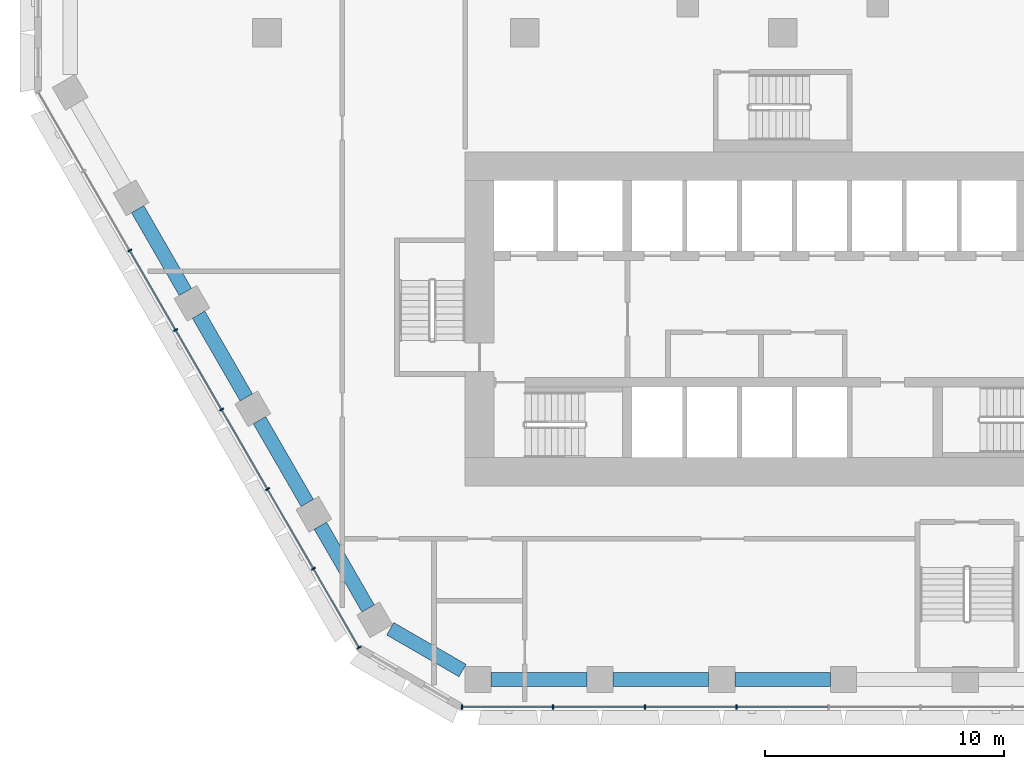
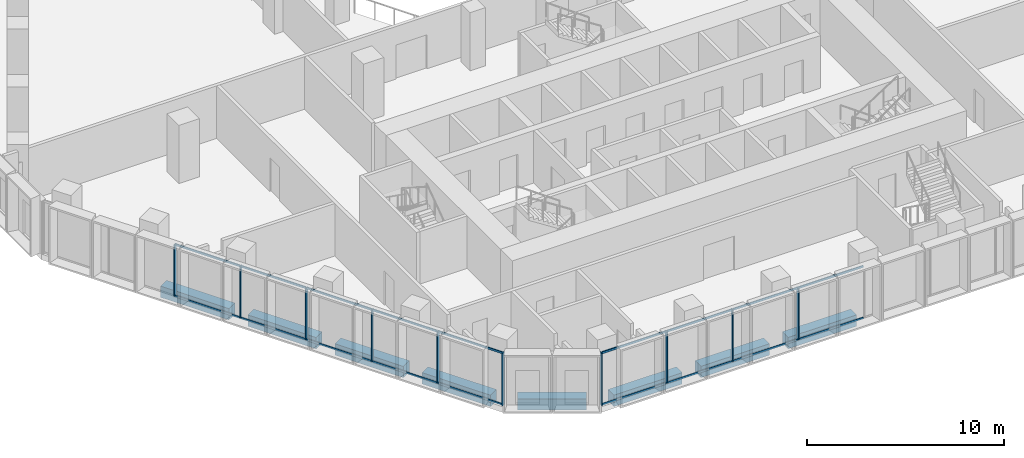
# One storey, part 2 of 25: 28 members, 8 beams, 2 elements without a shape of their own.
"""IFC4 building model written with IfcOpenShell, lengths in metres."""

from ifc_helpers import new_model, si_unit, direction, frame, origin, origin_2d, place, context, subcontext, project, spatial, rectangle, hollow_rectangle, extrude, material, material_profile, profile_set, type_object, element, aggregate, save


model = new_model("IFC4")

# Units and contexts
model_context = context("Model", 3, precision=1e-05, world=origin(), true_north=direction((0.0, 1.0)))
body_context = subcontext(model_context, "Body", "Model", "MODEL_VIEW")
ifc_project = project(units=[si_unit("LENGTHUNIT", "METRE"), si_unit("AREAUNIT", "SQUARE_METRE"), si_unit("VOLUMEUNIT", "CUBIC_METRE"), si_unit("PLANEANGLEUNIT", "RADIAN"), si_unit("MASSUNIT", "GRAM", prefix="KILO")], contexts=[model_context])

# Site, building, storey
site_placement = place(None, origin())
site = spatial("IfcSite", under=ifc_project, at=site_placement, CompositionType="ELEMENT")
building_placement = place(site_placement, origin())
building = spatial("IfcBuilding", under=site, at=building_placement, Name="Beryl Residences", CompositionType="ELEMENT")
storey_placement = place(building_placement, frame((0.0, 0.0, 16.199951171875)))
storey = spatial("IfcBuildingStorey", under=building, at=storey_placement, Name="L04", CompositionType="ELEMENT", Elevation=16.199951171875)

# Curtain wall, members
ifc_material_1 = material(Name="Aluminium and clear glass", Category="aluminium")
curtain_wall_type = type_object("IfcCurtainWallType", Name="CW2 amenity glazing glazed wall", PredefinedType="NOTDEFINED", material=ifc_material_1)
curtain_wall_1_placement = place(storey_placement, origin())
curtain_wall_1 = element("IfcCurtainWall", 1, at=curtain_wall_1_placement, inside=storey, type_object=curtain_wall_type, Name="CW2 L04 SW", PredefinedType="NOTDEFINED")
ifc_material_2 = material(Name="Aluminium", Category="aluminium")
ifc_material_profile_1 = material_profile(ifc_material_2, rectangle(XDim=0.06005859375, YDim=0.179931640625, at=origin_2d()))
ifc_profile_set_1 = profile_set([ifc_material_profile_1], Name="Aluminium")
member_type_1 = type_object("IfcMemberType", Name="CW2-M mullion 60 x 180 mm", PredefinedType="MULLION", material=ifc_profile_set_1)
member_1_placement = place(storey_placement, frame((-27.351318359375, -9.125732421875, 0.0), z_axis=(0.0, 0.0, 1.0), x_axis=(0.500011643322, -0.866018681405, 0.0)))
member_1 = element("IfcMember", 2, at=member_1_placement, type_object=member_type_1, Name="CW2 mullion 3", PredefinedType="MULLION", context=body_context, shape_type="SweptSolid", body=[
    extrude(rectangle(XDim=0.06005859375, YDim=0.179931640625, at=origin_2d()), origin(), (0.0, 0.0, 1.0), 3.25),
])
member_2_placement = place(storey_placement, frame((-25.42724609375, -12.45849609375, 0.0), z_axis=(0.0, 0.0, 1.0), x_axis=(0.500011643322, -0.866018681405, 0.0)))
member_2 = element("IfcMember", 3, at=member_2_placement, type_object=member_type_1, Name="CW2 mullion 4", PredefinedType="MULLION", context=body_context, shape_type="SweptSolid", body=[
    extrude(rectangle(XDim=0.06005859375, YDim=0.179931640625, at=origin_2d()), origin(), (0.0, 0.0, 1.0), 3.25),
])
member_3_placement = place(storey_placement, frame((-23.5029296875, -15.79150390625, 0.0), z_axis=(0.0, 0.0, 1.0), x_axis=(0.500011643322, -0.866018681405, 0.0)))
member_3 = element("IfcMember", 4, at=member_3_placement, type_object=member_type_1, Name="CW2 mullion 5", PredefinedType="MULLION", context=body_context, shape_type="SweptSolid", body=[
    extrude(rectangle(XDim=0.06005859375, YDim=0.179931640625, at=origin_2d()), origin(), (0.0, 0.0, 1.0), 3.25),
])
member_4_placement = place(storey_placement, frame((-21.57861328125, -19.124267578125, 0.0), z_axis=(0.0, 0.0, 1.0), x_axis=(0.500011643322, -0.866018681405, 0.0)))
member_4 = element("IfcMember", 5, at=member_4_placement, type_object=member_type_1, Name="CW2 mullion 6", PredefinedType="MULLION", context=body_context, shape_type="SweptSolid", body=[
    extrude(rectangle(XDim=0.06005859375, YDim=0.179931640625, at=origin_2d()), origin(), (0.0, 0.0, 1.0), 3.25),
])
member_5_placement = place(storey_placement, frame((-19.654296875, -22.45703125, 0.0), z_axis=(0.0, 0.0, 1.0), x_axis=(0.500011643322, -0.866018681405, 0.0)))
member_5 = element("IfcMember", 6, at=member_5_placement, type_object=member_type_1, Name="CW2 mullion 7", PredefinedType="MULLION", context=body_context, shape_type="SweptSolid", body=[
    extrude(rectangle(XDim=0.06005859375, YDim=0.179931640625, at=origin_2d()), origin(), (0.0, 0.0, 1.0), 3.25),
])
member_6_placement = place(storey_placement, frame((-17.7451171875, -25.763916015625, 0.0), z_axis=(0.0, 0.0, 1.0), x_axis=(0.500011643322, -0.866018681405, 0.0)))
member_6 = element("IfcMember", 7, at=member_6_placement, type_object=member_type_1, Name="CW2 mullion 8", PredefinedType="MULLION", context=body_context, shape_type="SweptSolid", body=[
    extrude(rectangle(XDim=0.06005859375, YDim=0.179931640625, at=origin_2d()), origin(), (0.0, 0.0, 1.0), 3.25),
])

curtain_wall_2_placement = place(storey_placement, origin())
curtain_wall_2 = element("IfcCurtainWall", 8, at=curtain_wall_2_placement, inside=storey, type_object=curtain_wall_type, Name="CW2 L04 S", PredefinedType="NOTDEFINED")
member_7_placement = place(storey_placement, frame((-13.43994140625, -28.25, 0.0), z_axis=(0.0, 0.0, 1.0), x_axis=(1.0, 0.0, 0.0)))
member_7 = element("IfcMember", 9, at=member_7_placement, type_object=member_type_1, Name="CW2 mullion 1", PredefinedType="MULLION", context=body_context, shape_type="SweptSolid", body=[
    extrude(rectangle(XDim=0.06005859375, YDim=0.179931640625, at=origin_2d()), origin(), (0.0, 0.0, 1.0), 3.25),
])
member_8_placement = place(storey_placement, frame((-9.621337890625, -28.25, 0.0), z_axis=(0.0, 0.0, 1.0), x_axis=(1.0, 0.0, 0.0)))
member_8 = element("IfcMember", 10, at=member_8_placement, type_object=member_type_1, Name="CW2 mullion 2", PredefinedType="MULLION", context=body_context, shape_type="SweptSolid", body=[
    extrude(rectangle(XDim=0.06005859375, YDim=0.179931640625, at=origin_2d()), origin(), (0.0, 0.0, 1.0), 3.25),
])
member_9_placement = place(storey_placement, frame((-5.77294921875, -28.25, 0.0), z_axis=(0.0, 0.0, 1.0), x_axis=(1.0, 0.0, 0.0)))
member_9 = element("IfcMember", 11, at=member_9_placement, type_object=member_type_1, Name="CW2 mullion 3", PredefinedType="MULLION", context=body_context, shape_type="SweptSolid", body=[
    extrude(rectangle(XDim=0.06005859375, YDim=0.179931640625, at=origin_2d()), origin(), (0.0, 0.0, 1.0), 3.25),
])
member_10_placement = place(storey_placement, frame((-1.92431640625, -28.25, 0.0), z_axis=(0.0, 0.0, 1.0), x_axis=(1.0, 0.0, 0.0)))
member_10 = element("IfcMember", 12, at=member_10_placement, type_object=member_type_1, Name="CW2 mullion 4", PredefinedType="MULLION", context=body_context, shape_type="SweptSolid", body=[
    extrude(rectangle(XDim=0.06005859375, YDim=0.179931640625, at=origin_2d()), origin(), (0.0, 0.0, 1.0), 3.25),
])

# Member
ifc_material_3 = material(Name="Aluminium", Category="aluminium")
ifc_material_profile_2 = material_profile(ifc_material_3, hollow_rectangle(XDim=0.06005859375, YDim=0.1201171875, WallThickness=0.00390625, at=origin_2d()))
ifc_profile_set_2 = profile_set([ifc_material_profile_2], Name="Aluminium")
member_type_2 = type_object("IfcMemberType", Name="CW2-T transom 60 x 120 mm", PredefinedType="USERDEFINED", material=ifc_profile_set_2)
member_11_placement = place(storey_placement, frame((-27.33642578125, -9.151611328125, 0.030029296875), z_axis=(0.499999503755, -0.866025690291, 0.0), x_axis=(0.866025690291, 0.499999503755, 0.0)))
member_11 = element("IfcMember", 13, at=member_11_placement, type_object=member_type_2, Name="CW2 transom 3.1", ObjectType="TRANSOM", PredefinedType="USERDEFINED", context=body_context, shape_type="SweptSolid", body=[
    extrude(hollow_rectangle(XDim=0.06005859375, YDim=0.1201171875, WallThickness=0.00390625, at=origin_2d()), origin(), (0.0, 0.0, 1.0), 3.78857421875),
])

member_12_placement = place(storey_placement, frame((-27.33642578125, -9.151611328125, 3.219970703125), z_axis=(0.499999503755, -0.866025690291, 0.0), x_axis=(0.866025690291, 0.499999503755, 0.0)))
member_12 = element("IfcMember", 14, at=member_12_placement, type_object=member_type_2, Name="CW2 transom 3.2", ObjectType="TRANSOM", PredefinedType="USERDEFINED", context=body_context, shape_type="SweptSolid", body=[
    extrude(hollow_rectangle(XDim=0.06005859375, YDim=0.1201171875, WallThickness=0.00390625, at=origin_2d()), origin(), (0.0, 0.0, 1.0), 3.78857421875),
])

member_13_placement = place(storey_placement, frame((-25.412109375, -12.484619140625, 0.030029296875), z_axis=(0.500027408906, -0.866009578667, 0.0), x_axis=(0.866009578667, 0.500027408906, 0.0)))
member_13 = element("IfcMember", 15, at=member_13_placement, type_object=member_type_2, Name="CW2 transom 4.1", ObjectType="TRANSOM", PredefinedType="USERDEFINED", context=body_context, shape_type="SweptSolid", body=[
    extrude(hollow_rectangle(XDim=0.06005859375, YDim=0.1201171875, WallThickness=0.00390625, at=origin_2d()), origin(), (0.0, 0.0, 1.0), 3.788330078125),
])

member_14_placement = place(storey_placement, frame((-25.412109375, -12.484619140625, 3.219970703125), z_axis=(0.500027408906, -0.866009578667, 0.0), x_axis=(0.866009578667, 0.500027408906, 0.0)))
member_14 = element("IfcMember", 16, at=member_14_placement, type_object=member_type_2, Name="CW2 transom 4.2", ObjectType="TRANSOM", PredefinedType="USERDEFINED", context=body_context, shape_type="SweptSolid", body=[
    extrude(hollow_rectangle(XDim=0.06005859375, YDim=0.1201171875, WallThickness=0.00390625, at=origin_2d()), origin(), (0.0, 0.0, 1.0), 3.788330078125),
])

member_15_placement = place(storey_placement, frame((-23.48779296875, -15.8173828125, 0.030029296875), z_axis=(0.499999503755, -0.866025690291, 0.0), x_axis=(0.866025690291, 0.499999503755, 0.0)))
member_15 = element("IfcMember", 17, at=member_15_placement, type_object=member_type_2, Name="CW2 transom 5.1", ObjectType="TRANSOM", PredefinedType="USERDEFINED", context=body_context, shape_type="SweptSolid", body=[
    extrude(hollow_rectangle(XDim=0.06005859375, YDim=0.1201171875, WallThickness=0.00390625, at=origin_2d()), origin(), (0.0, 0.0, 1.0), 3.78857421875),
])

member_16_placement = place(storey_placement, frame((-23.48779296875, -15.8173828125, 3.219970703125), z_axis=(0.499999503755, -0.866025690291, 0.0), x_axis=(0.866025690291, 0.499999503755, 0.0)))
member_16 = element("IfcMember", 18, at=member_16_placement, type_object=member_type_2, Name="CW2 transom 5.2", ObjectType="TRANSOM", PredefinedType="USERDEFINED", context=body_context, shape_type="SweptSolid", body=[
    extrude(hollow_rectangle(XDim=0.06005859375, YDim=0.1201171875, WallThickness=0.00390625, at=origin_2d()), origin(), (0.0, 0.0, 1.0), 3.78857421875),
])

member_17_placement = place(storey_placement, frame((-21.5634765625, -19.150146484375, 0.030029296875), z_axis=(0.499999503755, -0.866025690291, 0.0), x_axis=(0.866025690291, 0.499999503755, 0.0)))
member_17 = element("IfcMember", 19, at=member_17_placement, type_object=member_type_2, Name="CW2 transom 6.1", ObjectType="TRANSOM", PredefinedType="USERDEFINED", context=body_context, shape_type="SweptSolid", body=[
    extrude(hollow_rectangle(XDim=0.06005859375, YDim=0.1201171875, WallThickness=0.00390625, at=origin_2d()), origin(), (0.0, 0.0, 1.0), 3.78857421875),
])

member_18_placement = place(storey_placement, frame((-21.5634765625, -19.150146484375, 3.219970703125), z_axis=(0.499999503755, -0.866025690291, 0.0), x_axis=(0.866025690291, 0.499999503755, 0.0)))
member_18 = element("IfcMember", 20, at=member_18_placement, type_object=member_type_2, Name="CW2 transom 6.2", ObjectType="TRANSOM", PredefinedType="USERDEFINED", context=body_context, shape_type="SweptSolid", body=[
    extrude(hollow_rectangle(XDim=0.06005859375, YDim=0.1201171875, WallThickness=0.00390625, at=origin_2d()), origin(), (0.0, 0.0, 1.0), 3.78857421875),
])

member_19_placement = place(storey_placement, frame((-19.639404296875, -22.483154296875, 0.030029296875), z_axis=(0.500037327496, -0.866003851672, 0.0), x_axis=(0.866003851672, 0.500037327496, 0.0)))
member_19 = element("IfcMember", 21, at=member_19_placement, type_object=member_type_2, Name="CW2 transom 7.1", ObjectType="TRANSOM", PredefinedType="USERDEFINED", context=body_context, shape_type="SweptSolid", body=[
    extrude(hollow_rectangle(XDim=0.06005859375, YDim=0.1201171875, WallThickness=0.00390625, at=origin_2d()), origin(), (0.0, 0.0, 1.0), 3.758544921875),
])

member_20_placement = place(storey_placement, frame((-19.639404296875, -22.483154296875, 3.219970703125), z_axis=(0.500037327496, -0.866003851672, 0.0), x_axis=(0.866003851672, 0.500037327496, 0.0)))
member_20 = element("IfcMember", 22, at=member_20_placement, type_object=member_type_2, Name="CW2 transom 7.2", ObjectType="TRANSOM", PredefinedType="USERDEFINED", context=body_context, shape_type="SweptSolid", body=[
    extrude(hollow_rectangle(XDim=0.06005859375, YDim=0.1201171875, WallThickness=0.00390625, at=origin_2d()), origin(), (0.0, 0.0, 1.0), 3.758544921875),
])

aggregate(curtain_wall_1, [member_1, member_2, member_3, member_4, member_5, member_6, member_11, member_12, member_13, member_14, member_15, member_16, member_17, member_18, member_19, member_20])

member_21_placement = place(storey_placement, frame((-13.409912109375, -28.25, 0.030029296875), z_axis=(1.0, 0.0, 0.0), x_axis=(0.0, 1.0, 0.0)))
member_21 = element("IfcMember", 23, at=member_21_placement, type_object=member_type_2, Name="CW2 transom 1.1", ObjectType="TRANSOM", PredefinedType="USERDEFINED", context=body_context, shape_type="SweptSolid", body=[
    extrude(hollow_rectangle(XDim=0.06005859375, YDim=0.1201171875, WallThickness=0.00390625, at=origin_2d()), origin(), (0.0, 0.0, 1.0), 3.758544921875),
])

member_22_placement = place(storey_placement, frame((-13.409912109375, -28.25, 3.219970703125), z_axis=(1.0, 0.0, 0.0), x_axis=(0.0, 1.0, 0.0)))
member_22 = element("IfcMember", 24, at=member_22_placement, type_object=member_type_2, Name="CW2 transom 1.2", ObjectType="TRANSOM", PredefinedType="USERDEFINED", context=body_context, shape_type="SweptSolid", body=[
    extrude(hollow_rectangle(XDim=0.06005859375, YDim=0.1201171875, WallThickness=0.00390625, at=origin_2d()), origin(), (0.0, 0.0, 1.0), 3.758544921875),
])

member_23_placement = place(storey_placement, frame((-9.59130859375, -28.25, 0.030029296875), z_axis=(1.0, 0.0, 0.0), x_axis=(0.0, 1.0, 0.0)))
member_23 = element("IfcMember", 25, at=member_23_placement, type_object=member_type_2, Name="CW2 transom 2.1", ObjectType="TRANSOM", PredefinedType="USERDEFINED", context=body_context, shape_type="SweptSolid", body=[
    extrude(hollow_rectangle(XDim=0.06005859375, YDim=0.1201171875, WallThickness=0.00390625, at=origin_2d()), origin(), (0.0, 0.0, 1.0), 3.788330078125),
])

member_24_placement = place(storey_placement, frame((-9.59130859375, -28.25, 3.219970703125), z_axis=(1.0, 0.0, 0.0), x_axis=(0.0, 1.0, 0.0)))
member_24 = element("IfcMember", 26, at=member_24_placement, type_object=member_type_2, Name="CW2 transom 2.2", ObjectType="TRANSOM", PredefinedType="USERDEFINED", context=body_context, shape_type="SweptSolid", body=[
    extrude(hollow_rectangle(XDim=0.06005859375, YDim=0.1201171875, WallThickness=0.00390625, at=origin_2d()), origin(), (0.0, 0.0, 1.0), 3.788330078125),
])

member_25_placement = place(storey_placement, frame((-5.742919921875, -28.25, 0.030029296875), z_axis=(1.0, 0.0, 0.0), x_axis=(0.0, 1.0, 0.0)))
member_25 = element("IfcMember", 27, at=member_25_placement, type_object=member_type_2, Name="CW2 transom 3.1", ObjectType="TRANSOM", PredefinedType="USERDEFINED", context=body_context, shape_type="SweptSolid", body=[
    extrude(hollow_rectangle(XDim=0.06005859375, YDim=0.1201171875, WallThickness=0.00390625, at=origin_2d()), origin(), (0.0, 0.0, 1.0), 3.78857421875),
])

member_26_placement = place(storey_placement, frame((-5.742919921875, -28.25, 3.219970703125), z_axis=(1.0, 0.0, 0.0), x_axis=(0.0, 1.0, 0.0)))
member_26 = element("IfcMember", 28, at=member_26_placement, type_object=member_type_2, Name="CW2 transom 3.2", ObjectType="TRANSOM", PredefinedType="USERDEFINED", context=body_context, shape_type="SweptSolid", body=[
    extrude(hollow_rectangle(XDim=0.06005859375, YDim=0.1201171875, WallThickness=0.00390625, at=origin_2d()), origin(), (0.0, 0.0, 1.0), 3.78857421875),
])

member_27_placement = place(storey_placement, frame((-1.894287109375, -28.25, 0.030029296875), z_axis=(1.0, 0.0, 0.0), x_axis=(0.0, 1.0, 0.0)))
member_27 = element("IfcMember", 29, at=member_27_placement, type_object=member_type_2, Name="CW2 transom 4.1", ObjectType="TRANSOM", PredefinedType="USERDEFINED", context=body_context, shape_type="SweptSolid", body=[
    extrude(hollow_rectangle(XDim=0.06005859375, YDim=0.1201171875, WallThickness=0.00390625, at=origin_2d()), origin(), (0.0, 0.0, 1.0), 3.78857421875),
])

member_28_placement = place(storey_placement, frame((-1.894287109375, -28.25, 3.219970703125), z_axis=(1.0, 0.0, 0.0), x_axis=(0.0, 1.0, 0.0)))
member_28 = element("IfcMember", 30, at=member_28_placement, type_object=member_type_2, Name="CW2 transom 4.2", ObjectType="TRANSOM", PredefinedType="USERDEFINED", context=body_context, shape_type="SweptSolid", body=[
    extrude(hollow_rectangle(XDim=0.06005859375, YDim=0.1201171875, WallThickness=0.00390625, at=origin_2d()), origin(), (0.0, 0.0, 1.0), 3.78857421875),
])

aggregate(curtain_wall_2, [member_7, member_8, member_9, member_10, member_21, member_22, member_23, member_24, member_25, member_26, member_27, member_28])

# Beams
ifc_material_4 = material(Name="Concrete C80/95", Category="concrete")
ifc_material_profile_3 = material_profile(ifc_material_4, rectangle(XDim=0.60009765625, YDim=0.699951171875, at=origin_2d()))
ifc_profile_set_3 = profile_set([ifc_material_profile_3], Name="Concrete C80/95")
beam_type = type_object("IfcBeamType", Name="SB1 spandrel beam 600 x 700 C80/95", PredefinedType="SPANDREL", material=ifc_profile_set_3)
for number, where, z_axis, x_axis, name in (
    (31, (-27.02197265625, -7.39697265625, -0.699951171875), (0.499942357345, -0.866058681229, 0.0), (0.866058681229, 0.499942357345, 0.0), "SB1 L04 SW-1"),
    (32, (-24.469970703125, -11.81689453125, -0.699951171875), (0.499942357345, -0.866058681229, 0.0), (0.866058681229, 0.499942357345, 0.0), "SB1 L04 SW-2"),
    (33, (-21.91796875, -16.237060546875, -0.699951171875), (0.499942357345, -0.866058681229, 0.0), (0.866058681229, 0.499942357345, 0.0), "SB1 L04 SW-3"),
    (34, (-19.365966796875, -20.656982421875, -0.699951171875), (0.499942357345, -0.866058681229, 0.0), (0.866058681229, 0.499942357345, 0.0), "SB1 L04 SW-4"),
):
    element("IfcBeam", number, at=place(storey_placement, frame(where, z_axis=z_axis, x_axis=x_axis)), inside=storey, type_object=beam_type, Name=name, PredefinedType="SPANDREL", context=body_context, shape_type="SweptSolid", body=[
        extrude(rectangle(XDim=0.60009765625, YDim=0.699951171875, at=origin_2d()), origin(), (0.0, 0.0, 1.0), 4.00439453125),
    ])
beam_placement = place(storey_placement, frame((-16.43896484375, -24.97607421875, -0.699951171875), z_axis=(0.866070549782, -0.499921796684, 0.0), x_axis=(0.499921796684, 0.866070549782, 0.0)))
element("IfcBeam", 35, at=beam_placement, inside=storey, type_object=beam_type, Name="SB1 L04 SW-5", PredefinedType="SPANDREL", context=body_context, shape_type="SweptSolid", body=[
    extrude(rectangle(XDim=0.60009765625, YDim=0.699951171875, at=origin_2d()), origin(), (0.0, 0.0, 1.0), 3.49853515625),
])
for number, where, z_axis, x_axis, name in (
    (36, (-12.208984375, -27.10009765625, -0.699951171875), (1.0, 0.0, 0.0), (0.0, 1.0, 0.0), "SB1 L04 S-0"),
    (37, (-7.10498046875, -27.10009765625, -0.699951171875), (1.0, 0.0, 0.0), (0.0, 1.0, 0.0), "SB1 L04 S-1"),
    (38, (-2.0009765625, -27.10009765625, -0.699951171875), (1.0, 0.0, 0.0), (0.0, 1.0, 0.0), "SB1 L04 S-2"),
):
    element("IfcBeam", number, at=place(storey_placement, frame(where, z_axis=z_axis, x_axis=x_axis)), inside=storey, type_object=beam_type, Name=name, PredefinedType="SPANDREL", context=body_context, shape_type="SweptSolid", body=[
        extrude(rectangle(XDim=0.60009765625, YDim=0.699951171875, at=origin_2d()), origin(), (0.0, 0.0, 1.0), 4.00390625),
    ])

save(model, "model.ifc")
